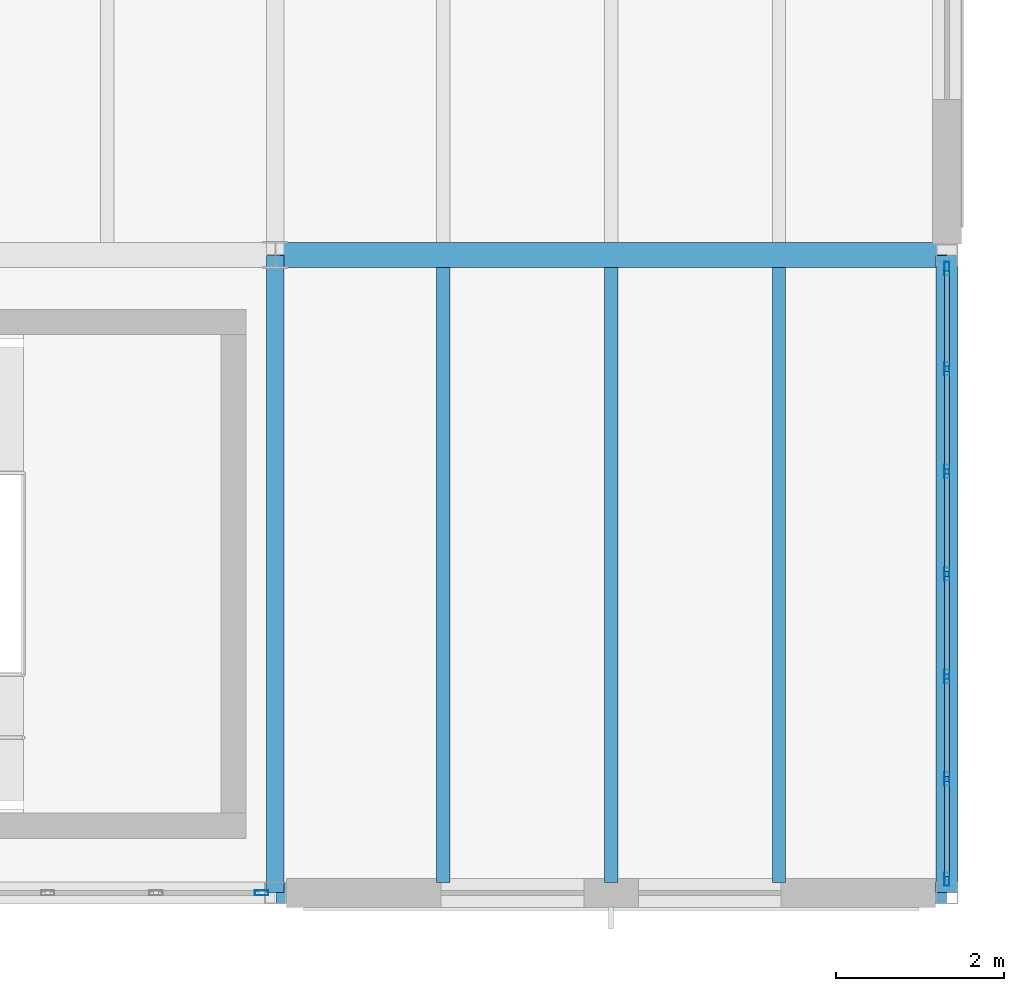
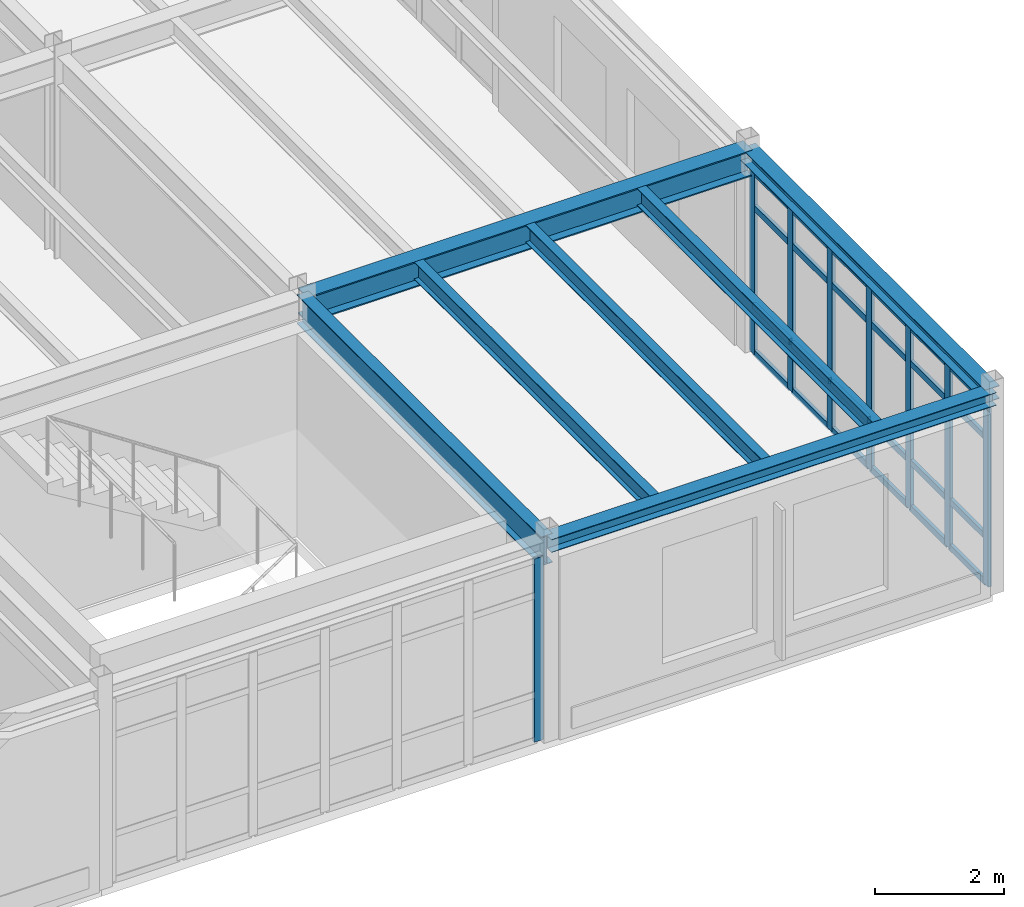
# One storey, part 118 of 189: 32 members, 7 beams, 2 elements without a shape of their own.
"""IFC4 building model written with IfcOpenShell, lengths in metres."""

from ifc_helpers import new_model, si_unit, direction, frame, origin, origin_2d, place, context, subcontext, project, spatial, hollow_rectangle, i_section, extrude, material, layer, layer_set, material_profile, profile_set, type_object, element, aggregate, save


model = new_model("IFC4")

# Units and contexts
model_context = context("Model", 3, precision=1e-05, world=origin(), true_north=direction((0.0, 1.0)))
body_context = subcontext(model_context, "Body", "Model", "MODEL_VIEW")
ifc_project = project(units=[si_unit("LENGTHUNIT", "METRE"), si_unit("AREAUNIT", "SQUARE_METRE"), si_unit("VOLUMEUNIT", "CUBIC_METRE"), si_unit("PLANEANGLEUNIT", "RADIAN"), si_unit("MASSUNIT", "GRAM", prefix="KILO")], contexts=[model_context])

# Site, building, storey
site_placement = place(None, origin())
site = spatial("IfcSite", under=ifc_project, at=site_placement, CompositionType="ELEMENT")
building_placement = place(site_placement, origin())
building = spatial("IfcBuilding", under=site, at=building_placement, Name="Montecoro Central Library", CompositionType="ELEMENT")
storey_placement = place(building_placement, frame((0.0, 0.0, 9.179931640625)))
storey = spatial("IfcBuildingStorey", under=building, at=storey_placement, Name="L02", CompositionType="ELEMENT", Elevation=9.179931640625)

# Beams
ifc_material_1 = material(Name="Steel S355J2", Category="steel")
ifc_material_profile_1 = material_profile(ifc_material_1, i_section(OverallWidth=0.300048828125, OverallDepth=0.489990234375, WebThickness=0.011962890625, FlangeThickness=0.02294921875, at=origin_2d()), Name="HEA 500")
ifc_profile_set_1 = profile_set([ifc_material_profile_1], Name="Steel S355J2")
beam_type_1 = type_object("IfcBeamType", Name="BM-G-HEA500", PredefinedType="USERDEFINED", material=ifc_profile_set_1)
beam_1_placement = place(storey_placement, frame((165.0048828125, 12.60009765625, 3.580078125), z_axis=(1.0, 0.0, 0.0), x_axis=(0.0, 1.0, 0.0)))
element("IfcBeam", 1, at=beam_1_placement, inside=storey, type_object=beam_type_1, Name="V6-L02-BX-2122-B", ObjectType="GIRDER", PredefinedType="USERDEFINED", context=body_context, shape_type="SweptSolid", body=[
    extrude(i_section(OverallWidth=0.300048828125, OverallDepth=0.489990234375, WebThickness=0.011962890625, FlangeThickness=0.02294921875, at=origin_2d()), origin(), (0.0, 0.0, 1.0), 7.990234375),
])
ifc_material_profile_2 = material_profile(ifc_material_1, i_section(OverallWidth=0.2099609375, OverallDepth=0.550048828125, WebThickness=0.010986328125, FlangeThickness=0.01708984375, at=origin_2d()), Name="IPE 550")
ifc_profile_set_2 = profile_set([ifc_material_profile_2], Name="Steel S355J2")
beam_type_2 = type_object("IfcBeamType", Name="BM-G-IPE550", PredefinedType="USERDEFINED", material=ifc_profile_set_2)
beam_2_placement = place(storey_placement, frame((165.0, 5.0048828125, 3.550048828125), z_axis=(0.0, 1.0, 0.0), x_axis=(-1.0, 0.0, 0.0)))
element("IfcBeam", 2, at=beam_2_placement, inside=storey, type_object=beam_type_2, Name="V6-L02-BY-21-AB", ObjectType="GIRDER", PredefinedType="USERDEFINED", context=body_context, shape_type="SweptSolid", body=[
    extrude(i_section(OverallWidth=0.2099609375, OverallDepth=0.550048828125, WebThickness=0.010986328125, FlangeThickness=0.01708984375, at=origin_2d()), origin(), (0.0, 0.0, 1.0), 7.590087890625),
])
ifc_material_2 = material(Name="Steel S355", Category="steel")
ifc_material_profile_3 = material_profile(ifc_material_2, i_section(OverallWidth=0.159912109375, OverallDepth=0.330078125, WebThickness=0.007568359375, FlangeThickness=0.011474609375, at=origin_2d()), Name="IPE 330")
ifc_profile_set_3 = profile_set([ifc_material_profile_3], Name="Steel S355")
beam_type_3 = type_object("IfcBeamType", Name="BM-J-IPE330", PredefinedType="JOIST", material=ifc_profile_set_3)
for number, where, z_axis, x_axis, name in (
    (3, (167.0, 5.126953125, 3.66015625), (0.0, 1.0, 0.0), (-1.0, 0.0, 0.0), "V6-L02-JS-2122-AB-1"),
    (4, (169.0, 5.126953125, 3.66015625), (0.0, 1.0, 0.0), (-1.0, 0.0, 0.0), "V6-L02-JS-2122-AB-2"),
    (5, (171.0, 5.126953125, 3.66015625), (0.0, 1.0, 0.0), (-1.0, 0.0, 0.0), "V6-L02-JS-2122-AB-3"),
):
    element("IfcBeam", number, at=place(storey_placement, frame(where, z_axis=z_axis, x_axis=x_axis)), inside=storey, type_object=beam_type_3, Name=name, PredefinedType="JOIST", context=body_context, shape_type="SweptSolid", body=[
        extrude(i_section(OverallWidth=0.159912109375, OverallDepth=0.330078125, WebThickness=0.007568359375, FlangeThickness=0.011474609375, at=origin_2d()), origin(), (0.0, 0.0, 1.0), 7.325927734375),
    ])
ifc_material_profile_4 = material_profile(ifc_material_2, i_section(OverallWidth=0.260009765625, OverallDepth=0.25, WebThickness=0.007568359375, FlangeThickness=0.012451171875, at=origin_2d()), Name="HEA 260")
ifc_profile_set_4 = profile_set([ifc_material_profile_4], Name="Steel S355")
beam_type_4 = type_object("IfcBeamType", Name="BM-SP-HEA260", PredefinedType="SPANDREL", material=ifc_profile_set_4)
beam_3_placement = place(storey_placement, frame((165.0048828125, 5.0, 3.699951171875), z_axis=(1.0, 0.0, 0.0), x_axis=(0.0, 1.0, 0.0)))
element("IfcBeam", 6, at=beam_3_placement, inside=storey, type_object=beam_type_4, Name="V6-L02-BX-2122-A", PredefinedType="SPANDREL", context=body_context, shape_type="SweptSolid", body=[
    extrude(i_section(OverallWidth=0.260009765625, OverallDepth=0.25, WebThickness=0.007568359375, FlangeThickness=0.012451171875, at=origin_2d()), origin(), (0.0, 0.0, 1.0), 7.990234375),
])
beam_4_placement = place(storey_placement, frame((173.0, 5.0048828125, 3.699951171875), z_axis=(0.0, 1.0, 0.0), x_axis=(-1.0, 0.0, 0.0)))
element("IfcBeam", 7, at=beam_4_placement, inside=storey, type_object=beam_type_4, Name="V6-L02-BY-22-AB", PredefinedType="SPANDREL", context=body_context, shape_type="SweptSolid", body=[
    extrude(i_section(OverallWidth=0.260009765625, OverallDepth=0.25, WebThickness=0.007568359375, FlangeThickness=0.012451171875, at=origin_2d()), origin(), (0.0, 0.0, 1.0), 7.590087890625),
])

# Curtain wall, member
ifc_material_3 = material(Name="Bronze-anodised aluminium and low-E glazing", Category="aluminium")
ifc_layer_1 = layer(ifc_material_3, 0.159912109375)
ifc_layer_set_1 = layer_set([ifc_layer_1], Name="Bronze-anodised aluminium and low-E glazing")
curtain_wall_type_1 = type_object("IfcCurtainWallType", Name="CWT-064", PredefinedType="NOTDEFINED", material=ifc_layer_set_1)
curtain_wall_1_placement = place(storey_placement, origin())
curtain_wall_1 = element("IfcCurtainWall", 8, at=curtain_wall_1_placement, inside=storey, type_object=curtain_wall_type_1, Name="V6-L02-CW-S2", PredefinedType="NOTDEFINED")
ifc_material_4 = material(Name="Bronze-anodised aluminium", Category="aluminium")
ifc_material_profile_5 = material_profile(ifc_material_4, hollow_rectangle(XDim=0.06005859375, YDim=0.159912109375, WallThickness=0.00390625, at=origin_2d()), Name="CWM 160x60x4.0")
ifc_profile_set_5 = profile_set([ifc_material_profile_5], Name="Bronze-anodised aluminium")
member_type_1 = type_object("IfcMemberType", Name="CWM-BRZ-60", PredefinedType="MULLION", material=ifc_profile_set_5)
member_1_placement = place(storey_placement, frame((164.8369140625, 5.0, 0.0), z_axis=(0.0, 0.0, 1.0), x_axis=(0.0, 1.0, 0.0)))
member_1 = element("IfcMember", 9, at=member_1_placement, type_object=member_type_1, Name="CW-064 mullion 7", PredefinedType="MULLION", context=body_context, shape_type="SweptSolid", body=[
    extrude(hollow_rectangle(XDim=0.06005859375, YDim=0.159912109375, WallThickness=0.00390625, at=origin_2d()), origin(), (0.0, 0.0, 1.0), 3.47998046875),
])
aggregate(curtain_wall_1, [member_1])

# Curtain wall, members
ifc_layer_2 = layer(ifc_material_3, 0.159912109375)
ifc_layer_set_2 = layer_set([ifc_layer_2], Name="Bronze-anodised aluminium and low-E glazing")
curtain_wall_type_2 = type_object("IfcCurtainWallType", Name="CWT-065", PredefinedType="NOTDEFINED", material=ifc_layer_set_2)
curtain_wall_2_placement = place(storey_placement, origin())
curtain_wall_2 = element("IfcCurtainWall", 10, at=curtain_wall_2_placement, inside=storey, type_object=curtain_wall_type_2, Name="V6-L02-CW-E0", PredefinedType="NOTDEFINED")
member_2_placement = place(storey_placement, frame((173.0, 5.1630859375, 0.0), z_axis=(0.0, 0.0, 1.0), x_axis=(-1.0, 0.0, 0.0)))
member_2 = element("IfcMember", 11, at=member_2_placement, type_object=member_type_1, Name="CW-065 mullion 1", PredefinedType="MULLION", context=body_context, shape_type="SweptSolid", body=[
    extrude(hollow_rectangle(XDim=0.06005859375, YDim=0.159912109375, WallThickness=0.00390625, at=origin_2d()), origin(), (0.0, 0.0, 1.0), 3.47998046875),
])
member_3_placement = place(storey_placement, frame((173.0, 6.355224609375, 0.0), z_axis=(0.0, 0.0, 1.0), x_axis=(-1.0, 0.0, 0.0)))
member_3 = element("IfcMember", 12, at=member_3_placement, type_object=member_type_1, Name="CW-065 mullion 2", PredefinedType="MULLION", context=body_context, shape_type="SweptSolid", body=[
    extrude(hollow_rectangle(XDim=0.06005859375, YDim=0.159912109375, WallThickness=0.00390625, at=origin_2d()), origin(), (0.0, 0.0, 1.0), 3.47998046875),
])
member_4_placement = place(storey_placement, frame((173.0, 7.57763671875, 0.0), z_axis=(0.0, 0.0, 1.0), x_axis=(-1.0, 0.0, 0.0)))
member_4 = element("IfcMember", 13, at=member_4_placement, type_object=member_type_1, Name="CW-065 mullion 3", PredefinedType="MULLION", context=body_context, shape_type="SweptSolid", body=[
    extrude(hollow_rectangle(XDim=0.06005859375, YDim=0.159912109375, WallThickness=0.00390625, at=origin_2d()), origin(), (0.0, 0.0, 1.0), 3.47998046875),
])
member_5_placement = place(storey_placement, frame((173.0, 8.800048828125, 0.0), z_axis=(0.0, 0.0, 1.0), x_axis=(-1.0, 0.0, 0.0)))
member_5 = element("IfcMember", 14, at=member_5_placement, type_object=member_type_1, Name="CW-065 mullion 4", PredefinedType="MULLION", context=body_context, shape_type="SweptSolid", body=[
    extrude(hollow_rectangle(XDim=0.06005859375, YDim=0.159912109375, WallThickness=0.00390625, at=origin_2d()), origin(), (0.0, 0.0, 1.0), 3.47998046875),
])
member_6_placement = place(storey_placement, frame((173.0, 10.022216796875, 0.0), z_axis=(0.0, 0.0, 1.0), x_axis=(-1.0, 0.0, 0.0)))
member_6 = element("IfcMember", 15, at=member_6_placement, type_object=member_type_1, Name="CW-065 mullion 5", PredefinedType="MULLION", context=body_context, shape_type="SweptSolid", body=[
    extrude(hollow_rectangle(XDim=0.06005859375, YDim=0.159912109375, WallThickness=0.00390625, at=origin_2d()), origin(), (0.0, 0.0, 1.0), 3.47998046875),
])
member_7_placement = place(storey_placement, frame((173.0, 11.24462890625, 0.0), z_axis=(0.0, 0.0, 1.0), x_axis=(-1.0, 0.0, 0.0)))
member_7 = element("IfcMember", 16, at=member_7_placement, type_object=member_type_1, Name="CW-065 mullion 6", PredefinedType="MULLION", context=body_context, shape_type="SweptSolid", body=[
    extrude(hollow_rectangle(XDim=0.06005859375, YDim=0.159912109375, WallThickness=0.00390625, at=origin_2d()), origin(), (0.0, 0.0, 1.0), 3.47998046875),
])
member_8_placement = place(storey_placement, frame((173.0, 12.43701171875, 0.0), z_axis=(0.0, 0.0, 1.0), x_axis=(-1.0, 0.0, 0.0)))
member_8 = element("IfcMember", 17, at=member_8_placement, type_object=member_type_1, Name="CW-065 mullion 7", PredefinedType="MULLION", context=body_context, shape_type="SweptSolid", body=[
    extrude(hollow_rectangle(XDim=0.06005859375, YDim=0.159912109375, WallThickness=0.00390625, at=origin_2d()), origin(), (0.0, 0.0, 1.0), 3.47998046875),
])
ifc_material_profile_6 = material_profile(ifc_material_4, hollow_rectangle(XDim=0.06005859375, YDim=0.1201171875, WallThickness=0.00390625, at=origin_2d()), Name="CWT 120x60x4.0")
ifc_profile_set_6 = profile_set([ifc_material_profile_6], Name="Bronze-anodised aluminium")
member_type_2 = type_object("IfcMemberType", Name="CWT-BRZ-60", PredefinedType="USERDEFINED", material=ifc_profile_set_6)
member_9_placement = place(storey_placement, frame((173.0, 5.193115234375, 0.030029296875), z_axis=(0.0, 1.0, 0.0), x_axis=(-1.0, 0.0, 0.0)))
member_9 = element("IfcMember", 18, at=member_9_placement, type_object=member_type_2, Name="CW-065 transom 1.1", ObjectType="TRANSOM", PredefinedType="USERDEFINED", context=body_context, shape_type="SweptSolid", body=[
    extrude(hollow_rectangle(XDim=0.06005859375, YDim=0.1201171875, WallThickness=0.00390625, at=origin_2d()), origin(), (0.0, 0.0, 1.0), 1.13232421875),
])
member_10_placement = place(storey_placement, frame((173.0, 5.193115234375, 0.900146484375), z_axis=(0.0, 1.0, 0.0), x_axis=(-1.0, 0.0, 0.0)))
member_10 = element("IfcMember", 19, at=member_10_placement, type_object=member_type_2, Name="CW-065 transom 1.2", ObjectType="TRANSOM", PredefinedType="USERDEFINED", context=body_context, shape_type="SweptSolid", body=[
    extrude(hollow_rectangle(XDim=0.06005859375, YDim=0.1201171875, WallThickness=0.00390625, at=origin_2d()), origin(), (0.0, 0.0, 1.0), 1.13232421875),
])
member_11_placement = place(storey_placement, frame((173.0, 5.193115234375, 2.780029296875), z_axis=(0.0, 1.0, 0.0), x_axis=(-1.0, 0.0, 0.0)))
member_11 = element("IfcMember", 20, at=member_11_placement, type_object=member_type_2, Name="CW-065 transom 1.3", ObjectType="TRANSOM", PredefinedType="USERDEFINED", context=body_context, shape_type="SweptSolid", body=[
    extrude(hollow_rectangle(XDim=0.06005859375, YDim=0.1201171875, WallThickness=0.00390625, at=origin_2d()), origin(), (0.0, 0.0, 1.0), 1.13232421875),
])
member_12_placement = place(storey_placement, frame((173.0, 5.193115234375, 3.449951171875), z_axis=(0.0, 1.0, 0.0), x_axis=(-1.0, 0.0, 0.0)))
member_12 = element("IfcMember", 21, at=member_12_placement, type_object=member_type_2, Name="CW-065 transom 1.4", ObjectType="TRANSOM", PredefinedType="USERDEFINED", context=body_context, shape_type="SweptSolid", body=[
    extrude(hollow_rectangle(XDim=0.06005859375, YDim=0.1201171875, WallThickness=0.00390625, at=origin_2d()), origin(), (0.0, 0.0, 1.0), 1.13232421875),
])
member_13_placement = place(storey_placement, frame((173.0, 6.38525390625, 0.030029296875), z_axis=(0.0, 1.0, 0.0), x_axis=(-1.0, 0.0, 0.0)))
member_13 = element("IfcMember", 22, at=member_13_placement, type_object=member_type_2, Name="CW-065 transom 2.1", ObjectType="TRANSOM", PredefinedType="USERDEFINED", context=body_context, shape_type="SweptSolid", body=[
    extrude(hollow_rectangle(XDim=0.06005859375, YDim=0.1201171875, WallThickness=0.00390625, at=origin_2d()), origin(), (0.0, 0.0, 1.0), 1.162353515625),
])
member_14_placement = place(storey_placement, frame((173.0, 6.38525390625, 0.900146484375), z_axis=(0.0, 1.0, 0.0), x_axis=(-1.0, 0.0, 0.0)))
member_14 = element("IfcMember", 23, at=member_14_placement, type_object=member_type_2, Name="CW-065 transom 2.2", ObjectType="TRANSOM", PredefinedType="USERDEFINED", context=body_context, shape_type="SweptSolid", body=[
    extrude(hollow_rectangle(XDim=0.06005859375, YDim=0.1201171875, WallThickness=0.00390625, at=origin_2d()), origin(), (0.0, 0.0, 1.0), 1.162353515625),
])
member_15_placement = place(storey_placement, frame((173.0, 6.38525390625, 2.780029296875), z_axis=(0.0, 1.0, 0.0), x_axis=(-1.0, 0.0, 0.0)))
member_15 = element("IfcMember", 24, at=member_15_placement, type_object=member_type_2, Name="CW-065 transom 2.3", ObjectType="TRANSOM", PredefinedType="USERDEFINED", context=body_context, shape_type="SweptSolid", body=[
    extrude(hollow_rectangle(XDim=0.06005859375, YDim=0.1201171875, WallThickness=0.00390625, at=origin_2d()), origin(), (0.0, 0.0, 1.0), 1.162353515625),
])
member_16_placement = place(storey_placement, frame((173.0, 6.38525390625, 3.449951171875), z_axis=(0.0, 1.0, 0.0), x_axis=(-1.0, 0.0, 0.0)))
member_16 = element("IfcMember", 25, at=member_16_placement, type_object=member_type_2, Name="CW-065 transom 2.4", ObjectType="TRANSOM", PredefinedType="USERDEFINED", context=body_context, shape_type="SweptSolid", body=[
    extrude(hollow_rectangle(XDim=0.06005859375, YDim=0.1201171875, WallThickness=0.00390625, at=origin_2d()), origin(), (0.0, 0.0, 1.0), 1.162353515625),
])
member_17_placement = place(storey_placement, frame((173.0, 7.607666015625, 0.030029296875), z_axis=(0.0, 1.0, 0.0), x_axis=(-1.0, 0.0, 0.0)))
member_17 = element("IfcMember", 26, at=member_17_placement, type_object=member_type_2, Name="CW-065 transom 3.1", ObjectType="TRANSOM", PredefinedType="USERDEFINED", context=body_context, shape_type="SweptSolid", body=[
    extrude(hollow_rectangle(XDim=0.06005859375, YDim=0.1201171875, WallThickness=0.00390625, at=origin_2d()), origin(), (0.0, 0.0, 1.0), 1.162353515625),
])
member_18_placement = place(storey_placement, frame((173.0, 7.607666015625, 0.900146484375), z_axis=(0.0, 1.0, 0.0), x_axis=(-1.0, 0.0, 0.0)))
member_18 = element("IfcMember", 27, at=member_18_placement, type_object=member_type_2, Name="CW-065 transom 3.2", ObjectType="TRANSOM", PredefinedType="USERDEFINED", context=body_context, shape_type="SweptSolid", body=[
    extrude(hollow_rectangle(XDim=0.06005859375, YDim=0.1201171875, WallThickness=0.00390625, at=origin_2d()), origin(), (0.0, 0.0, 1.0), 1.162353515625),
])
member_19_placement = place(storey_placement, frame((173.0, 7.607666015625, 2.780029296875), z_axis=(0.0, 1.0, 0.0), x_axis=(-1.0, 0.0, 0.0)))
member_19 = element("IfcMember", 28, at=member_19_placement, type_object=member_type_2, Name="CW-065 transom 3.3", ObjectType="TRANSOM", PredefinedType="USERDEFINED", context=body_context, shape_type="SweptSolid", body=[
    extrude(hollow_rectangle(XDim=0.06005859375, YDim=0.1201171875, WallThickness=0.00390625, at=origin_2d()), origin(), (0.0, 0.0, 1.0), 1.162353515625),
])
member_20_placement = place(storey_placement, frame((173.0, 7.607666015625, 3.449951171875), z_axis=(0.0, 1.0, 0.0), x_axis=(-1.0, 0.0, 0.0)))
member_20 = element("IfcMember", 29, at=member_20_placement, type_object=member_type_2, Name="CW-065 transom 3.4", ObjectType="TRANSOM", PredefinedType="USERDEFINED", context=body_context, shape_type="SweptSolid", body=[
    extrude(hollow_rectangle(XDim=0.06005859375, YDim=0.1201171875, WallThickness=0.00390625, at=origin_2d()), origin(), (0.0, 0.0, 1.0), 1.162353515625),
])
member_21_placement = place(storey_placement, frame((173.0, 8.830078125, 0.030029296875), z_axis=(0.0, 1.0, 0.0), x_axis=(-1.0, 0.0, 0.0)))
member_21 = element("IfcMember", 30, at=member_21_placement, type_object=member_type_2, Name="CW-065 transom 4.1", ObjectType="TRANSOM", PredefinedType="USERDEFINED", context=body_context, shape_type="SweptSolid", body=[
    extrude(hollow_rectangle(XDim=0.06005859375, YDim=0.1201171875, WallThickness=0.00390625, at=origin_2d()), origin(), (0.0, 0.0, 1.0), 1.162353515625),
])
member_22_placement = place(storey_placement, frame((173.0, 8.830078125, 0.900146484375), z_axis=(0.0, 1.0, 0.0), x_axis=(-1.0, 0.0, 0.0)))
member_22 = element("IfcMember", 31, at=member_22_placement, type_object=member_type_2, Name="CW-065 transom 4.2", ObjectType="TRANSOM", PredefinedType="USERDEFINED", context=body_context, shape_type="SweptSolid", body=[
    extrude(hollow_rectangle(XDim=0.06005859375, YDim=0.1201171875, WallThickness=0.00390625, at=origin_2d()), origin(), (0.0, 0.0, 1.0), 1.162353515625),
])
member_23_placement = place(storey_placement, frame((173.0, 8.830078125, 2.780029296875), z_axis=(0.0, 1.0, 0.0), x_axis=(-1.0, 0.0, 0.0)))
member_23 = element("IfcMember", 32, at=member_23_placement, type_object=member_type_2, Name="CW-065 transom 4.3", ObjectType="TRANSOM", PredefinedType="USERDEFINED", context=body_context, shape_type="SweptSolid", body=[
    extrude(hollow_rectangle(XDim=0.06005859375, YDim=0.1201171875, WallThickness=0.00390625, at=origin_2d()), origin(), (0.0, 0.0, 1.0), 1.162353515625),
])
member_24_placement = place(storey_placement, frame((173.0, 8.830078125, 3.449951171875), z_axis=(0.0, 1.0, 0.0), x_axis=(-1.0, 0.0, 0.0)))
member_24 = element("IfcMember", 33, at=member_24_placement, type_object=member_type_2, Name="CW-065 transom 4.4", ObjectType="TRANSOM", PredefinedType="USERDEFINED", context=body_context, shape_type="SweptSolid", body=[
    extrude(hollow_rectangle(XDim=0.06005859375, YDim=0.1201171875, WallThickness=0.00390625, at=origin_2d()), origin(), (0.0, 0.0, 1.0), 1.162353515625),
])
member_25_placement = place(storey_placement, frame((173.0, 10.05224609375, 0.030029296875), z_axis=(0.0, 1.0, 0.0), x_axis=(-1.0, 0.0, 0.0)))
member_25 = element("IfcMember", 34, at=member_25_placement, type_object=member_type_2, Name="CW-065 transom 5.1", ObjectType="TRANSOM", PredefinedType="USERDEFINED", context=body_context, shape_type="SweptSolid", body=[
    extrude(hollow_rectangle(XDim=0.06005859375, YDim=0.1201171875, WallThickness=0.00390625, at=origin_2d()), origin(), (0.0, 0.0, 1.0), 1.162353515625),
])
member_26_placement = place(storey_placement, frame((173.0, 10.05224609375, 0.900146484375), z_axis=(0.0, 1.0, 0.0), x_axis=(-1.0, 0.0, 0.0)))
member_26 = element("IfcMember", 35, at=member_26_placement, type_object=member_type_2, Name="CW-065 transom 5.2", ObjectType="TRANSOM", PredefinedType="USERDEFINED", context=body_context, shape_type="SweptSolid", body=[
    extrude(hollow_rectangle(XDim=0.06005859375, YDim=0.1201171875, WallThickness=0.00390625, at=origin_2d()), origin(), (0.0, 0.0, 1.0), 1.162353515625),
])
member_27_placement = place(storey_placement, frame((173.0, 10.05224609375, 2.780029296875), z_axis=(0.0, 1.0, 0.0), x_axis=(-1.0, 0.0, 0.0)))
member_27 = element("IfcMember", 36, at=member_27_placement, type_object=member_type_2, Name="CW-065 transom 5.3", ObjectType="TRANSOM", PredefinedType="USERDEFINED", context=body_context, shape_type="SweptSolid", body=[
    extrude(hollow_rectangle(XDim=0.06005859375, YDim=0.1201171875, WallThickness=0.00390625, at=origin_2d()), origin(), (0.0, 0.0, 1.0), 1.162353515625),
])
member_28_placement = place(storey_placement, frame((173.0, 10.05224609375, 3.449951171875), z_axis=(0.0, 1.0, 0.0), x_axis=(-1.0, 0.0, 0.0)))
member_28 = element("IfcMember", 37, at=member_28_placement, type_object=member_type_2, Name="CW-065 transom 5.4", ObjectType="TRANSOM", PredefinedType="USERDEFINED", context=body_context, shape_type="SweptSolid", body=[
    extrude(hollow_rectangle(XDim=0.06005859375, YDim=0.1201171875, WallThickness=0.00390625, at=origin_2d()), origin(), (0.0, 0.0, 1.0), 1.162353515625),
])
member_29_placement = place(storey_placement, frame((173.0, 11.274658203125, 0.030029296875), z_axis=(0.0, 1.0, 0.0), x_axis=(-1.0, 0.0, 0.0)))
member_29 = element("IfcMember", 38, at=member_29_placement, type_object=member_type_2, Name="CW-065 transom 6.1", ObjectType="TRANSOM", PredefinedType="USERDEFINED", context=body_context, shape_type="SweptSolid", body=[
    extrude(hollow_rectangle(XDim=0.06005859375, YDim=0.1201171875, WallThickness=0.00390625, at=origin_2d()), origin(), (0.0, 0.0, 1.0), 1.13232421875),
])
member_30_placement = place(storey_placement, frame((173.0, 11.274658203125, 0.900146484375), z_axis=(0.0, 1.0, 0.0), x_axis=(-1.0, 0.0, 0.0)))
member_30 = element("IfcMember", 39, at=member_30_placement, type_object=member_type_2, Name="CW-065 transom 6.2", ObjectType="TRANSOM", PredefinedType="USERDEFINED", context=body_context, shape_type="SweptSolid", body=[
    extrude(hollow_rectangle(XDim=0.06005859375, YDim=0.1201171875, WallThickness=0.00390625, at=origin_2d()), origin(), (0.0, 0.0, 1.0), 1.13232421875),
])
member_31_placement = place(storey_placement, frame((173.0, 11.274658203125, 2.780029296875), z_axis=(0.0, 1.0, 0.0), x_axis=(-1.0, 0.0, 0.0)))
member_31 = element("IfcMember", 40, at=member_31_placement, type_object=member_type_2, Name="CW-065 transom 6.3", ObjectType="TRANSOM", PredefinedType="USERDEFINED", context=body_context, shape_type="SweptSolid", body=[
    extrude(hollow_rectangle(XDim=0.06005859375, YDim=0.1201171875, WallThickness=0.00390625, at=origin_2d()), origin(), (0.0, 0.0, 1.0), 1.13232421875),
])
member_32_placement = place(storey_placement, frame((173.0, 11.274658203125, 3.449951171875), z_axis=(0.0, 1.0, 0.0), x_axis=(-1.0, 0.0, 0.0)))
member_32 = element("IfcMember", 41, at=member_32_placement, type_object=member_type_2, Name="CW-065 transom 6.4", ObjectType="TRANSOM", PredefinedType="USERDEFINED", context=body_context, shape_type="SweptSolid", body=[
    extrude(hollow_rectangle(XDim=0.06005859375, YDim=0.1201171875, WallThickness=0.00390625, at=origin_2d()), origin(), (0.0, 0.0, 1.0), 1.13232421875),
])
aggregate(curtain_wall_2, [member_2, member_3, member_4, member_5, member_6, member_7, member_8, member_9, member_10, member_11, member_12, member_13, member_14, member_15, member_16, member_17, member_18, member_19, member_20, member_21, member_22, member_23, member_24, member_25, member_26, member_27, member_28, member_29, member_30, member_31, member_32])

save(model, "model.ifc")
